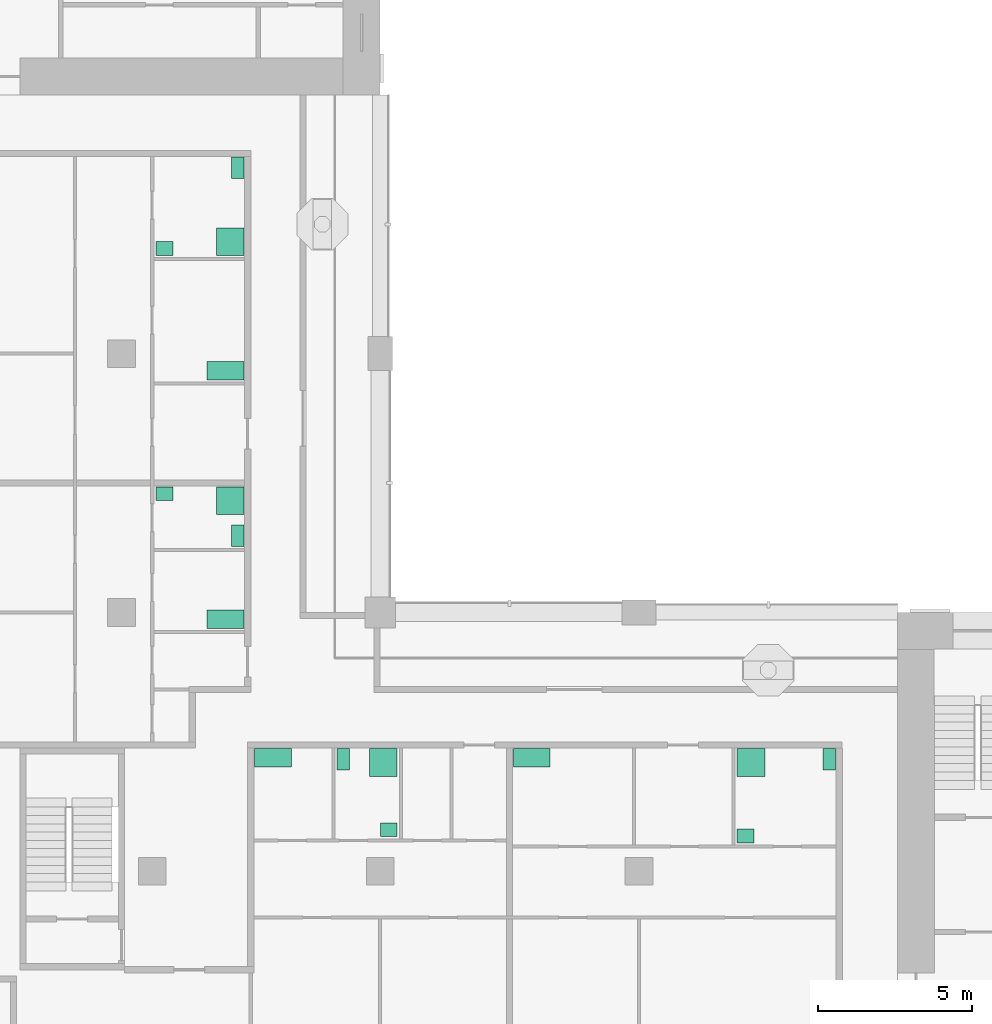
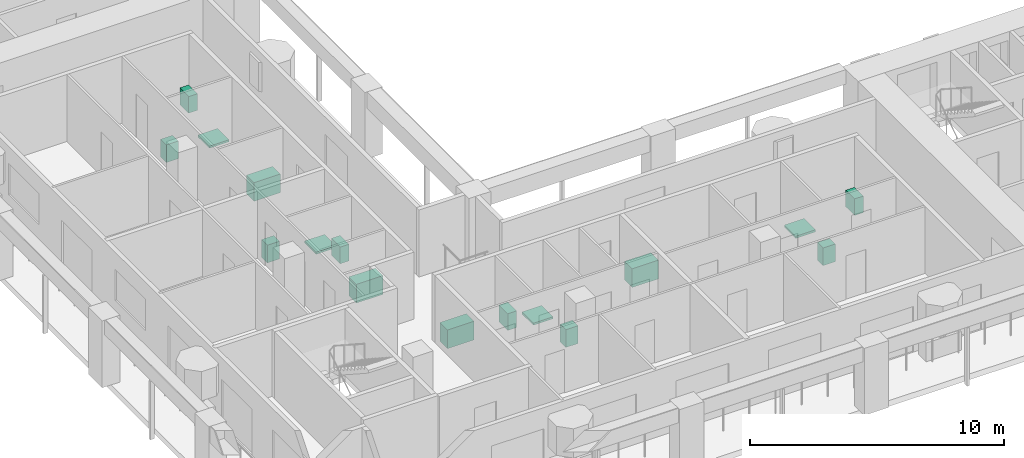
# One storey, part 10 of 12: 16 sanitary terminals.
"""IFC4 building model written with IfcOpenShell, lengths in metres."""

from ifc_helpers import new_model, si_unit, direction, frame, origin, origin_2d, place, context, subcontext, project, spatial, rectangle, extrude, material, element, save


model = new_model("IFC4")

# Units and contexts
model_context = context("Model", 3, precision=1e-05, world=origin(), true_north=direction((0.0, 1.0)))
body_context = subcontext(model_context, "Body", "Model", "MODEL_VIEW")
ifc_project = project(units=[si_unit("LENGTHUNIT", "METRE"), si_unit("AREAUNIT", "SQUARE_METRE"), si_unit("VOLUMEUNIT", "CUBIC_METRE"), si_unit("PLANEANGLEUNIT", "RADIAN"), si_unit("MASSUNIT", "GRAM", prefix="KILO")], contexts=[model_context])

# Site, building, storey
site_placement = place(None, origin())
site = spatial("IfcSite", under=ifc_project, at=site_placement, CompositionType="ELEMENT")
building_placement = place(site_placement, origin())
building = spatial("IfcBuilding", under=site, at=building_placement, Name="Vermilion Gate Residences", CompositionType="ELEMENT")
storey_placement = place(building_placement, frame((0.0, 0.0, 214.199951171875)))
storey = spatial("IfcBuildingStorey", under=building, at=storey_placement, Name="L55", CompositionType="ELEMENT", Elevation=214.199951171875)

# Sanitary terminals
ifc_material_1 = material(Name="Stainless steel", Category="steel")
sanitary_terminal_1_placement = place(storey_placement, frame((21.719970703125, 20.47998046875, 0.0), z_axis=(0.0, 0.0, 1.0), x_axis=(1.0, 0.0, 0.0)))
element("IfcSanitaryTerminal", 1, at=sanitary_terminal_1_placement, inside=storey, material=ifc_material_1, Name="Kitchen sink", PredefinedType="SINK", context=body_context, shape_type="SweptSolid", body=[
    extrude(rectangle(XDim=1.199951171875, YDim=0.60009765625, at=origin_2d()), origin(), (0.0, 0.0, 1.0), 0.89990234375),
])
ifc_material_2 = material(Name="Vitreous china")
sanitary_terminal_2_placement = place(storey_placement, frame((25.303955078125, 20.330078125, 0.0), z_axis=(0.0, 0.0, 1.0), x_axis=(1.0, 0.0, 0.0)))
element("IfcSanitaryTerminal", 2, at=sanitary_terminal_2_placement, inside=storey, material=ifc_material_2, Name="Shower tray", PredefinedType="SHOWER", context=body_context, shape_type="SweptSolid", body=[
    extrude(rectangle(XDim=0.89990234375, YDim=0.89990234375, at=origin_2d()), origin(), (0.0, 0.0, 1.0), 0.10009765625),
])
sanitary_terminal_3_placement = place(storey_placement, frame((24.00390625, 20.429931640625, 0.0), z_axis=(0.0, 0.0, 1.0), x_axis=(1.0, 0.0, 0.0)))
element("IfcSanitaryTerminal", 3, at=sanitary_terminal_3_placement, inside=storey, material=ifc_material_2, Name="Toilet", PredefinedType="TOILETPAN", context=body_context, shape_type="SweptSolid", body=[
    extrude(rectangle(XDim=0.39990234375, YDim=0.699951171875, at=origin_2d()), origin(), (0.0, 0.0, 1.0), 0.800048828125),
])
sanitary_terminal_4_placement = place(storey_placement, frame((25.47900390625, 18.14501953125, 0.0), z_axis=(0.0, 0.0, 1.0), x_axis=(1.0, 0.0, 0.0)))
element("IfcSanitaryTerminal", 4, at=sanitary_terminal_4_placement, inside=storey, material=ifc_material_2, Name="Wash basin", PredefinedType="WASHHANDBASIN", context=body_context, shape_type="SweptSolid", body=[
    extrude(rectangle(XDim=0.550048828125, YDim=0.449951171875, at=origin_2d()), origin(), (0.0, 0.0, 1.0), 0.85009765625),
])
sanitary_terminal_5_placement = place(storey_placement, frame((30.1201171875, 20.47998046875, 0.0), z_axis=(0.0, 0.0, 1.0), x_axis=(1.0, 0.0, 0.0)))
element("IfcSanitaryTerminal", 5, at=sanitary_terminal_5_placement, inside=storey, material=ifc_material_1, Name="Kitchen sink", PredefinedType="SINK", context=body_context, shape_type="SweptSolid", body=[
    extrude(rectangle(XDim=1.199951171875, YDim=0.60009765625, at=origin_2d()), origin(), (0.0, 0.0, 1.0), 0.89990234375),
])
sanitary_terminal_6_placement = place(storey_placement, frame((37.237060546875, 20.330078125, 0.0), z_axis=(0.0, 0.0, 1.0), x_axis=(1.0, 0.0, 0.0)))
element("IfcSanitaryTerminal", 6, at=sanitary_terminal_6_placement, inside=storey, material=ifc_material_2, Name="Shower tray", PredefinedType="SHOWER", context=body_context, shape_type="SweptSolid", body=[
    extrude(rectangle(XDim=0.89990234375, YDim=0.89990234375, at=origin_2d()), origin(), (0.0, 0.0, 1.0), 0.10009765625),
])
sanitary_terminal_7_placement = place(storey_placement, frame((39.780029296875, 20.429931640625, 0.0), z_axis=(0.0, 0.0, 1.0), x_axis=(1.0, 0.0, 0.0)))
element("IfcSanitaryTerminal", 7, at=sanitary_terminal_7_placement, inside=storey, material=ifc_material_2, Name="Toilet", PredefinedType="TOILETPAN", context=body_context, shape_type="SweptSolid", body=[
    extrude(rectangle(XDim=0.39990234375, YDim=0.699951171875, at=origin_2d()), origin(), (0.0, 0.0, 1.0), 0.800048828125),
])
sanitary_terminal_8_placement = place(storey_placement, frame((37.06201171875, 17.945068359375, 0.0), z_axis=(0.0, 0.0, 1.0), x_axis=(1.0, 0.0, 0.0)))
element("IfcSanitaryTerminal", 8, at=sanitary_terminal_8_placement, inside=storey, material=ifc_material_2, Name="Wash basin", PredefinedType="WASHHANDBASIN", context=body_context, shape_type="SweptSolid", body=[
    extrude(rectangle(XDim=0.550048828125, YDim=0.449951171875, at=origin_2d()), origin(), (0.0, 0.0, 1.0), 0.85009765625),
])
sanitary_terminal_9_placement = place(storey_placement, frame((20.179931640625, 24.98291015625, 0.0), z_axis=(0.0, 0.0, 1.0), x_axis=(1.0, 0.0, 0.0)))
element("IfcSanitaryTerminal", 9, at=sanitary_terminal_9_placement, inside=storey, material=ifc_material_1, Name="Kitchen sink", PredefinedType="SINK", context=body_context, shape_type="SweptSolid", body=[
    extrude(rectangle(XDim=1.199951171875, YDim=0.60009765625, at=origin_2d()), origin(), (0.0, 0.0, 1.0), 0.89990234375),
])
sanitary_terminal_10_placement = place(storey_placement, frame((20.330078125, 28.830078125, 0.0), z_axis=(0.0, 0.0, 1.0), x_axis=(1.0, 0.0, 0.0)))
element("IfcSanitaryTerminal", 10, at=sanitary_terminal_10_placement, inside=storey, material=ifc_material_2, Name="Shower tray", PredefinedType="SHOWER", context=body_context, shape_type="SweptSolid", body=[
    extrude(rectangle(XDim=0.89990234375, YDim=0.89990234375, at=origin_2d()), origin(), (0.0, 0.0, 1.0), 0.10009765625),
])
sanitary_terminal_11_placement = place(storey_placement, frame((20.580078125, 27.695068359375, 0.0), z_axis=(0.0, 0.0, 1.0), x_axis=(1.0, 0.0, 0.0)))
element("IfcSanitaryTerminal", 11, at=sanitary_terminal_11_placement, inside=storey, material=ifc_material_2, Name="Toilet", PredefinedType="TOILETPAN", context=body_context, shape_type="SweptSolid", body=[
    extrude(rectangle(XDim=0.39990234375, YDim=0.699951171875, at=origin_2d()), origin(), (0.0, 0.0, 1.0), 0.800048828125),
])
sanitary_terminal_12_placement = place(storey_placement, frame((18.195068359375, 29.054931640625, 0.0), z_axis=(0.0, 0.0, 1.0), x_axis=(1.0, 0.0, 0.0)))
element("IfcSanitaryTerminal", 12, at=sanitary_terminal_12_placement, inside=storey, material=ifc_material_2, Name="Wash basin", PredefinedType="WASHHANDBASIN", context=body_context, shape_type="SweptSolid", body=[
    extrude(rectangle(XDim=0.550048828125, YDim=0.449951171875, at=origin_2d()), origin(), (0.0, 0.0, 1.0), 0.85009765625),
])
sanitary_terminal_13_placement = place(storey_placement, frame((20.179931640625, 33.052978515625, 0.0), z_axis=(0.0, 0.0, 1.0), x_axis=(1.0, 0.0, 0.0)))
element("IfcSanitaryTerminal", 13, at=sanitary_terminal_13_placement, inside=storey, material=ifc_material_1, Name="Kitchen sink", PredefinedType="SINK", context=body_context, shape_type="SweptSolid", body=[
    extrude(rectangle(XDim=1.199951171875, YDim=0.60009765625, at=origin_2d()), origin(), (0.0, 0.0, 1.0), 0.89990234375),
])
sanitary_terminal_14_placement = place(storey_placement, frame((20.330078125, 37.237060546875, 0.0), z_axis=(0.0, 0.0, 1.0), x_axis=(1.0, 0.0, 0.0)))
element("IfcSanitaryTerminal", 14, at=sanitary_terminal_14_placement, inside=storey, material=ifc_material_2, Name="Shower tray", PredefinedType="SHOWER", context=body_context, shape_type="SweptSolid", body=[
    extrude(rectangle(XDim=0.89990234375, YDim=0.89990234375, at=origin_2d()), origin(), (0.0, 0.0, 1.0), 0.10009765625),
])
sanitary_terminal_15_placement = place(storey_placement, frame((20.580078125, 39.6298828125, 0.0), z_axis=(0.0, 0.0, 1.0), x_axis=(1.0, 0.0, 0.0)))
element("IfcSanitaryTerminal", 15, at=sanitary_terminal_15_placement, inside=storey, material=ifc_material_2, Name="Toilet", PredefinedType="TOILETPAN", context=body_context, shape_type="SweptSolid", body=[
    extrude(rectangle(XDim=0.39990234375, YDim=0.699951171875, at=origin_2d()), origin(), (0.0, 0.0, 1.0), 0.800048828125),
])
sanitary_terminal_16_placement = place(storey_placement, frame((18.195068359375, 37.011962890625, 0.0), z_axis=(0.0, 0.0, 1.0), x_axis=(1.0, 0.0, 0.0)))
element("IfcSanitaryTerminal", 16, at=sanitary_terminal_16_placement, inside=storey, material=ifc_material_2, Name="Wash basin", PredefinedType="WASHHANDBASIN", context=body_context, shape_type="SweptSolid", body=[
    extrude(rectangle(XDim=0.550048828125, YDim=0.449951171875, at=origin_2d()), origin(), (0.0, 0.0, 1.0), 0.85009765625),
])

save(model, "model.ifc")
